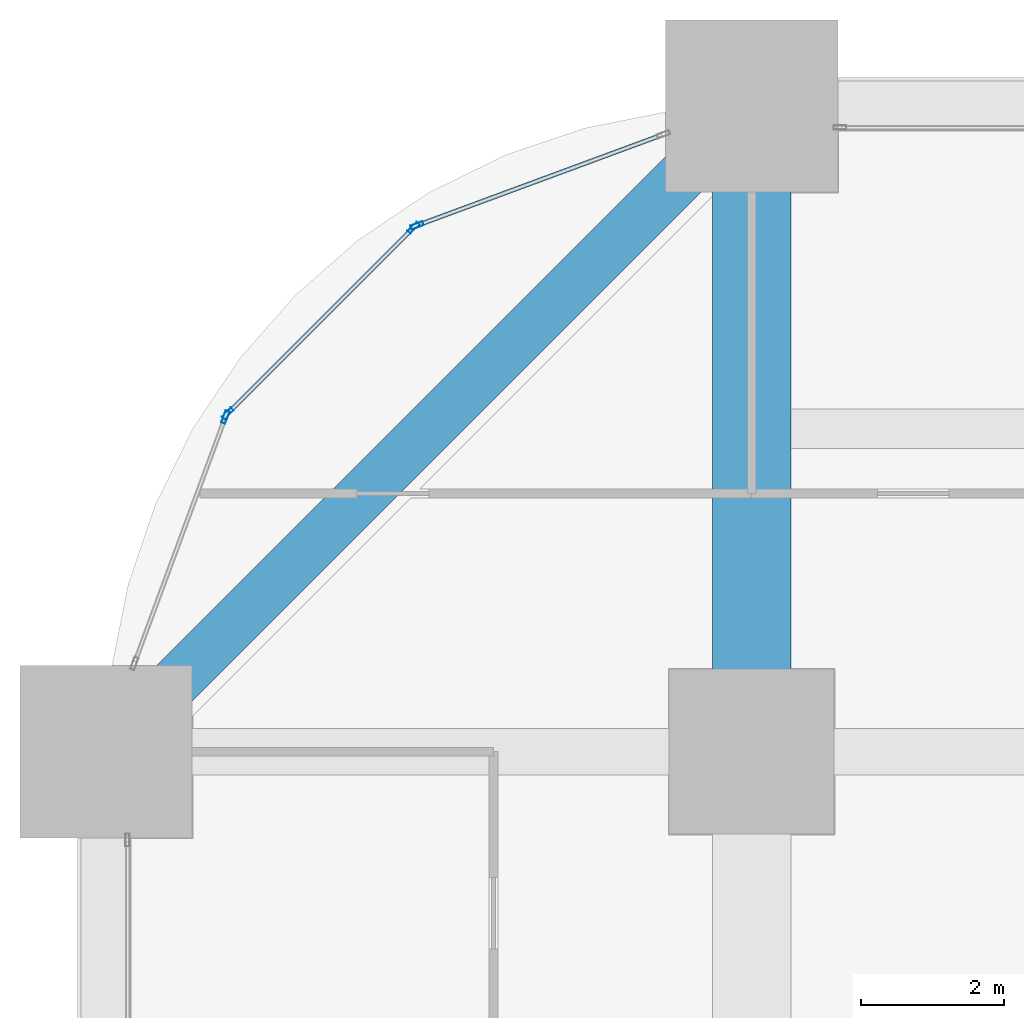
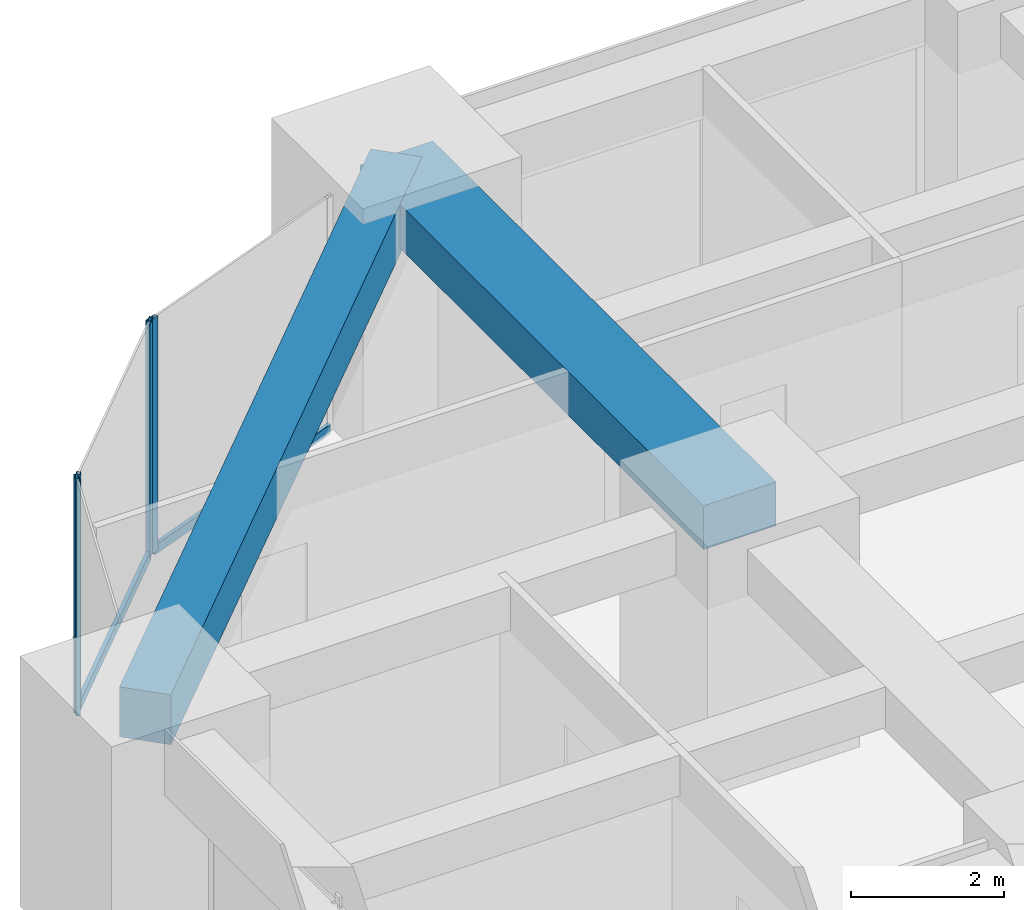
# One storey, part 27 of 44: 6 members, 2 beams, 3 elements without a shape of their own.
"""IFC4 building model written with IfcOpenShell, lengths in metres."""

from ifc_helpers import new_model, si_unit, direction, frame, origin, origin_2d, place, context, subcontext, project, spatial, rectangle, hollow_rectangle, extrude, material, material_profile, profile_set, type_object, element, aggregate, save


model = new_model("IFC4")

# Units and contexts
model_context = context("Model", 3, precision=1e-05, world=origin(), true_north=direction((0.0, 1.0)))
body_context = subcontext(model_context, "Body", "Model", "MODEL_VIEW")
ifc_project = project(units=[si_unit("LENGTHUNIT", "METRE"), si_unit("AREAUNIT", "SQUARE_METRE"), si_unit("VOLUMEUNIT", "CUBIC_METRE"), si_unit("PLANEANGLEUNIT", "RADIAN"), si_unit("MASSUNIT", "GRAM", prefix="KILO")], contexts=[model_context])

# Site, building, storey
site_placement = place(None, origin())
site = spatial("IfcSite", under=ifc_project, at=site_placement, CompositionType="ELEMENT")
building_placement = place(site_placement, origin())
building = spatial("IfcBuilding", under=site, at=building_placement, Name="Zorevar Civic Tower", CompositionType="ELEMENT")
storey_placement = place(building_placement, frame((0.0, 0.0, 35.800048828125)))
storey = spatial("IfcBuildingStorey", under=building, at=storey_placement, Name="L08", CompositionType="ELEMENT", Elevation=35.800048828125)

# Beam
ifc_material_1 = material(Name="Concrete C50/60", Category="concrete")
ifc_material_profile_1 = material_profile(ifc_material_1, rectangle(XDim=1.10009765625, YDim=0.699951171875, at=origin_2d()), Name="RC 1100x700")
ifc_profile_set_1 = profile_set([ifc_material_profile_1], Name="Concrete C50/60")
beam_type_1 = type_object("IfcBeamType", Name="Beam RC 1100x700", PredefinedType="BEAM", material=ifc_profile_set_1)
beam_1_placement = place(storey_placement, frame((9.0, 45.0, 3.39990234375), z_axis=(0.0, 1.0, 0.0), x_axis=(-1.0, 0.0, 0.0)))
element("IfcBeam", 1, at=beam_1_placement, inside=storey, type_object=beam_type_1, Name="Girder L09", PredefinedType="BEAM", context=body_context, shape_type="SweptSolid", body=[
    extrude(rectangle(XDim=1.10009765625, YDim=0.699951171875, at=origin_2d()), origin(), (0.0, 0.0, 1.0), 9.0),
])

# Curtain wall, member
ifc_material_2 = material(Name="Dark grey solar-control glass in black aluminium frame", Category="aluminium")
curtain_wall_type = type_object("IfcCurtainWallType", Name="Curtain wall CW2 low zone", PredefinedType="NOTDEFINED", material=ifc_material_2)
curtain_wall_1_placement = place(storey_placement, origin())
curtain_wall_1 = element("IfcCurtainWall", 2, at=curtain_wall_1_placement, inside=storey, type_object=curtain_wall_type, Name="CW2 L08", PredefinedType="NOTDEFINED")
ifc_material_3 = material(Name="Aluminium, black anodised", Category="aluminium")
ifc_material_profile_2 = material_profile(ifc_material_3, hollow_rectangle(XDim=0.06005859375, YDim=0.179931640625, WallThickness=0.00390625, at=origin_2d()), Name="AL 180x60x4")
ifc_profile_set_2 = profile_set([ifc_material_profile_2], Name="Aluminium, black anodised")
member_type_1 = type_object("IfcMemberType", Name="CW2 mullion AL 180x60x4", PredefinedType="MULLION", material=ifc_profile_set_2)
member_1_placement = place(storey_placement, frame((4.33544921875, 52.336181640625, 0.0), z_axis=(0.0, 0.0, 1.0), x_axis=(0.346704012033, -0.937974588163, 0.0)))
member_1 = element("IfcMember", 3, at=member_1_placement, type_object=member_type_1, Name="CW2 mullion 2", PredefinedType="MULLION", context=body_context, shape_type="SweptSolid", body=[
    extrude(hollow_rectangle(XDim=0.06005859375, YDim=0.179931640625, WallThickness=0.00390625, at=origin_2d()), origin(), (0.0, 0.0, 1.0), 3.75),
])

# Curtain wall, members
curtain_wall_2_placement = place(storey_placement, origin())
curtain_wall_2 = element("IfcCurtainWall", 4, at=curtain_wall_2_placement, inside=storey, type_object=curtain_wall_type, Name="CW2 L08", PredefinedType="NOTDEFINED")
member_2_placement = place(storey_placement, frame((4.2861328125, 52.3046875, 0.0), z_axis=(0.0, 0.0, 1.0), x_axis=(0.707106781187, -0.707106781187, 0.0)))
member_2 = element("IfcMember", 5, at=member_2_placement, type_object=member_type_1, Name="CW2 mullion 1", PredefinedType="MULLION", context=body_context, shape_type="SweptSolid", body=[
    extrude(hollow_rectangle(XDim=0.06005859375, YDim=0.179931640625, WallThickness=0.00390625, at=origin_2d()), origin(), (0.0, 0.0, 1.0), 3.75),
])
member_3_placement = place(storey_placement, frame((1.6953125, 49.7138671875, 0.0), z_axis=(0.0, 0.0, 1.0), x_axis=(0.707106781187, -0.707106781187, 0.0)))
member_3 = element("IfcMember", 6, at=member_3_placement, type_object=member_type_1, Name="CW2 mullion 2", PredefinedType="MULLION", context=body_context, shape_type="SweptSolid", body=[
    extrude(hollow_rectangle(XDim=0.06005859375, YDim=0.179931640625, WallThickness=0.00390625, at=origin_2d()), origin(), (0.0, 0.0, 1.0), 3.75),
])

# Curtain wall, member
curtain_wall_3_placement = place(storey_placement, origin())
curtain_wall_3 = element("IfcCurtainWall", 7, at=curtain_wall_3_placement, inside=storey, type_object=curtain_wall_type, Name="CW2 L08", PredefinedType="NOTDEFINED")
member_4_placement = place(storey_placement, frame((1.663818359375, 49.66455078125, 0.0), z_axis=(0.0, 0.0, 1.0), x_axis=(0.937974588163, -0.346704012033, 0.0)))
member_4 = element("IfcMember", 8, at=member_4_placement, type_object=member_type_1, Name="CW2 mullion 1", PredefinedType="MULLION", context=body_context, shape_type="SweptSolid", body=[
    extrude(hollow_rectangle(XDim=0.06005859375, YDim=0.179931640625, WallThickness=0.00390625, at=origin_2d()), origin(), (0.0, 0.0, 1.0), 3.75),
])
aggregate(curtain_wall_3, [member_4])

# Member
ifc_material_4 = material(Name="Aluminium, black anodised", Category="aluminium")
ifc_material_profile_3 = material_profile(ifc_material_4, hollow_rectangle(XDim=0.06005859375, YDim=0.14990234375, WallThickness=0.00390625, at=origin_2d()), Name="AL 150x60x4")
ifc_profile_set_3 = profile_set([ifc_material_profile_3], Name="Aluminium, black anodised")
member_type_2 = type_object("IfcMemberType", Name="CW2 transom AL 150x60x4", PredefinedType="USERDEFINED", material=ifc_profile_set_3)
member_5_placement = place(storey_placement, frame((7.74365234375, 53.595947265625, 0.030029296875), z_axis=(-0.93798635741, -0.346672169799, 0.0), x_axis=(0.346672169799, -0.93798635741, 0.0)))
member_5 = element("IfcMember", 9, at=member_5_placement, type_object=member_type_2, Name="CW2 sill transom", ObjectType="TRANSOM", PredefinedType="USERDEFINED", context=body_context, shape_type="SweptSolid", body=[
    extrude(hollow_rectangle(XDim=0.06005859375, YDim=0.14990234375, WallThickness=0.00390625, at=origin_2d()), origin(), (0.0, 0.0, 1.0), 3.603515625),
])

aggregate(curtain_wall_1, [member_1, member_5])

member_6_placement = place(storey_placement, frame((4.264892578125, 52.283447265625, 0.030029296875), z_axis=(-0.707106781187, -0.707106781187, 0.0), x_axis=(0.707106781187, -0.707106781187, 0.0)))
member_6 = element("IfcMember", 10, at=member_6_placement, type_object=member_type_2, Name="CW2 sill transom", ObjectType="TRANSOM", PredefinedType="USERDEFINED", context=body_context, shape_type="SweptSolid", body=[
    extrude(hollow_rectangle(XDim=0.06005859375, YDim=0.14990234375, WallThickness=0.00390625, at=origin_2d()), origin(), (0.0, 0.0, 1.0), 3.60400390625),
])

aggregate(curtain_wall_2, [member_2, member_3, member_6])

# Beam
ifc_material_5 = material(Name="Concrete C50/60", Category="concrete")
ifc_material_profile_4 = material_profile(ifc_material_5, rectangle(XDim=0.699951171875, YDim=0.800048828125, at=origin_2d()), Name="RC 700x800")
ifc_profile_set_4 = profile_set([ifc_material_profile_4], Name="Concrete C50/60")
beam_type_2 = type_object("IfcBeamType", Name="Edge beam RC 700x800", PredefinedType="SPANDREL", material=ifc_profile_set_4)
beam_2_placement = place(storey_placement, frame((9.0, 54.0, 3.349853515625), z_axis=(-0.707106781187, -0.707106781187, 0.0), x_axis=(0.707106781187, -0.707106781187, 0.0)))
element("IfcBeam", 11, at=beam_2_placement, inside=storey, type_object=beam_type_2, Name="Corner edge beam L09", PredefinedType="SPANDREL", context=body_context, shape_type="SweptSolid", body=[
    extrude(rectangle(XDim=0.699951171875, YDim=0.800048828125, at=origin_2d()), origin(), (0.0, 0.0, 1.0), 12.72802734375),
])

save(model, "model.ifc")
